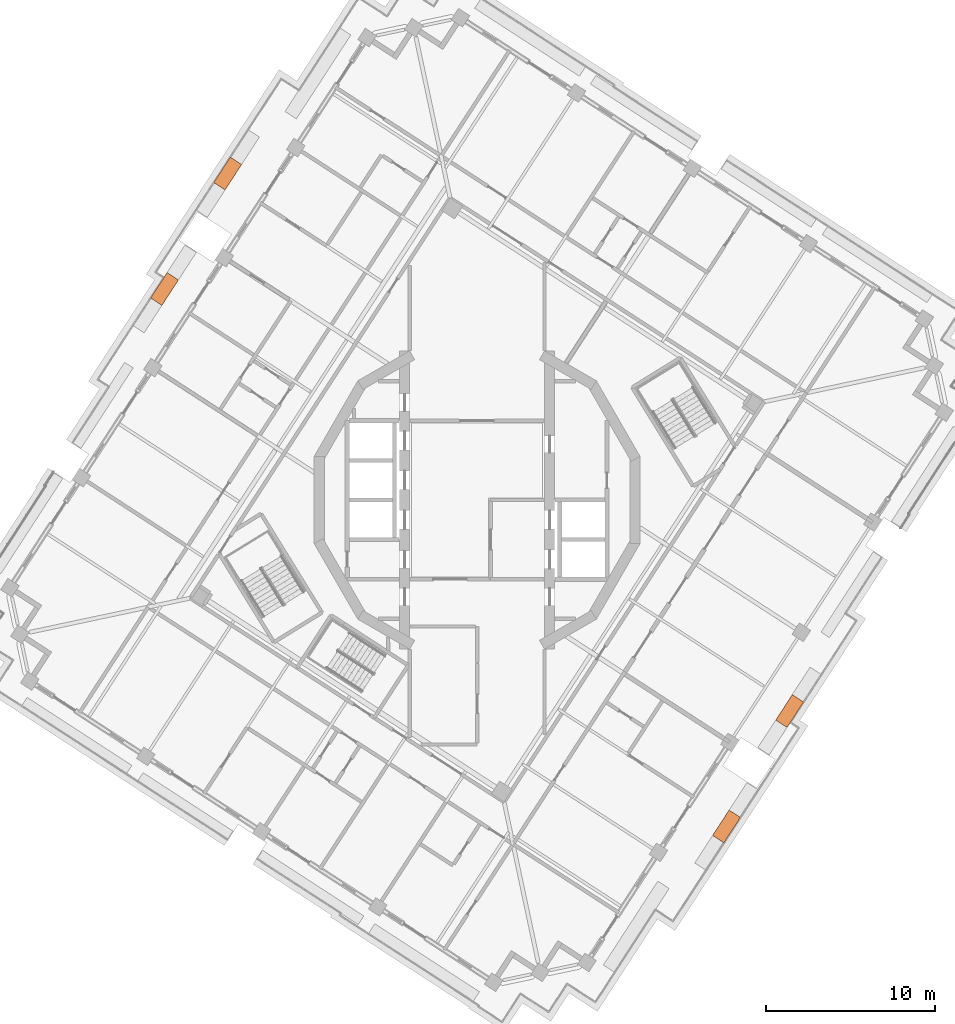
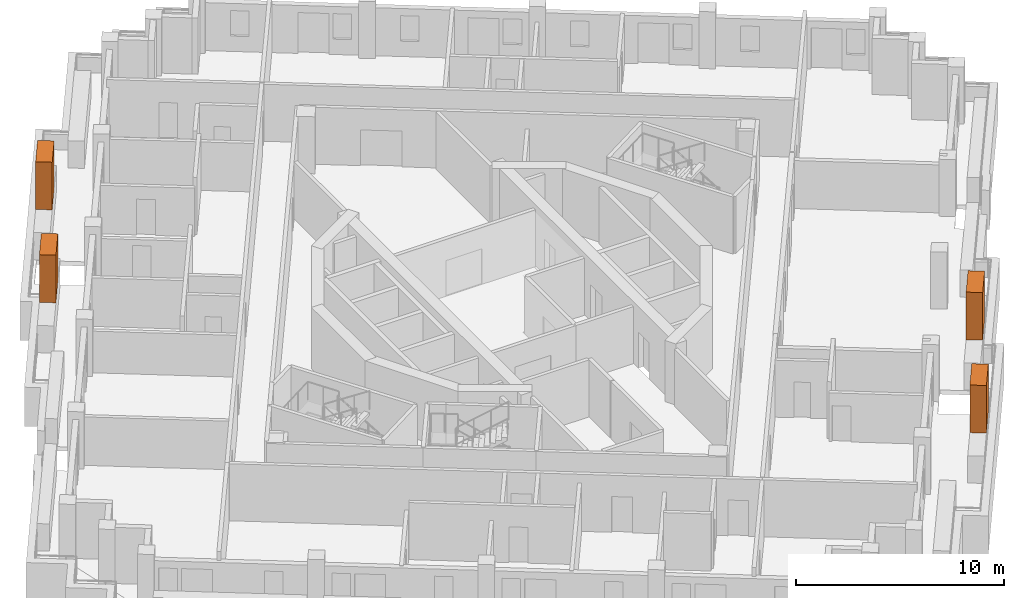
# One storey, part 15 of 15: 4 proxies.
"""IFC4 building model written with IfcOpenShell, lengths in metres."""

from ifc_helpers import new_model, si_unit, direction, frame, origin, origin_2d, place, context, subcontext, project, spatial, rectangle, extrude, element, save


model = new_model("IFC4")

# Units and contexts
model_context = context("Model", 3, precision=1e-05, world=origin(), true_north=direction((0.0, 1.0)))
body_context = subcontext(model_context, "Body", "Model", "MODEL_VIEW")
ifc_project = project(units=[si_unit("LENGTHUNIT", "METRE"), si_unit("AREAUNIT", "SQUARE_METRE"), si_unit("VOLUMEUNIT", "CUBIC_METRE"), si_unit("PLANEANGLEUNIT", "RADIAN"), si_unit("MASSUNIT", "GRAM", prefix="KILO")], contexts=[model_context])

# Site, building, storey
site_placement = place(None, origin())
site = spatial("IfcSite", under=ifc_project, at=site_placement, CompositionType="ELEMENT")
building_placement = place(site_placement, origin())
building = spatial("IfcBuilding", under=site, at=building_placement, Name="Cantera Rosa Tower", CompositionType="ELEMENT")
storey_placement = place(building_placement, frame((0.0, 0.0, 261.300048828125)))
storey = spatial("IfcBuildingStorey", under=building, at=storey_placement, Name="L58", CompositionType="ELEMENT", Elevation=261.300048828125)

# Proxies
for number, where, z_axis, x_axis, name in (
    (1, (-14.790771484375, 19.35888671875, 1.60009765625), (0.0, 0.0, 1.0), (-0.544639035015, -0.838670567945, 0.0), "TREE L58-06"),
    (2, (-18.53564453125, 12.51416015625, 1.60009765625), (0.0, 0.0, 1.0), (-0.544639035015, -0.838670567945, 0.0), "TREE L58-07"),
    (3, (14.790771484375, -19.35888671875, 1.60009765625), (0.0, 0.0, 1.0), (0.544639035015, 0.838670567945, 0.0), "TREE L58-15"),
    (4, (18.53564453125, -12.51416015625, 1.60009765625), (0.0, 0.0, 1.0), (0.544639035015, 0.838670567945, 0.0), "TREE L58-16"),
):
    element("IfcBuildingElementProxy", number, at=place(storey_placement, frame(where, z_axis=z_axis, x_axis=x_axis)), inside=storey, Name=name, ObjectType="TREE", PredefinedType="USERDEFINED", context=body_context, shape_type="SweptSolid", body=[
        extrude(rectangle(XDim=1.800048828125, YDim=0.800048828125, at=origin_2d()), origin(), (0.0, 0.0, 1.0), 2.800048828125),
    ])

save(model, "model.ifc")
